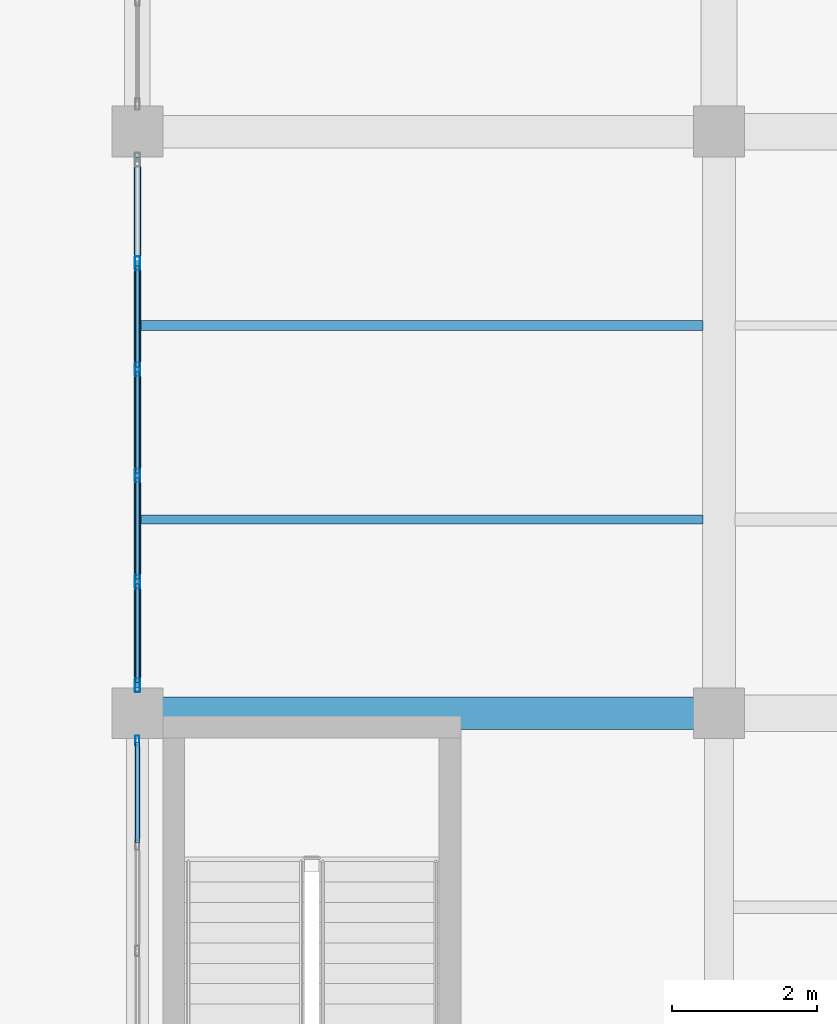
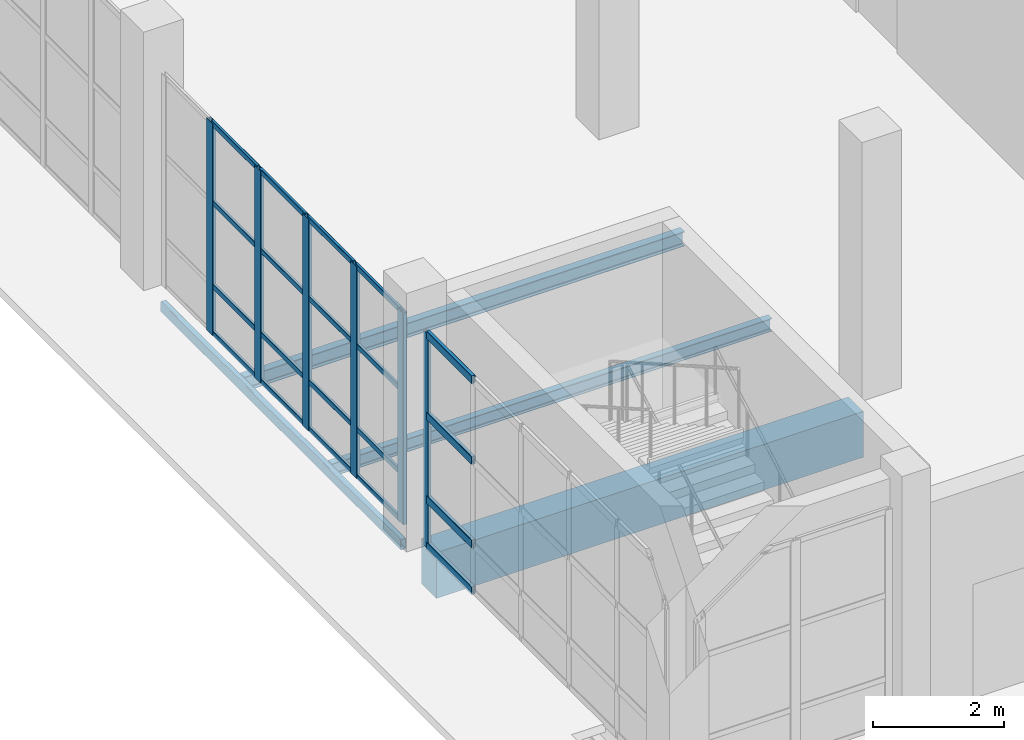
# One storey, part 5 of 156: 26 members, 4 beams, 2 elements without a shape of their own.
"""IFC4 building model written with IfcOpenShell, lengths in metres."""

from ifc_helpers import new_model, si_unit, direction, frame, origin, origin_2d, place, context, subcontext, project, spatial, rectangle, hollow_rectangle, i_section, extrude, material, material_profile, profile_set, type_object, element, aggregate, save


model = new_model("IFC4")

# Units and contexts
model_context = context("Model", 3, precision=1e-05, world=origin(), true_north=direction((0.0, 1.0)))
body_context = subcontext(model_context, "Body", "Model", "MODEL_VIEW")
ifc_project = project(units=[si_unit("LENGTHUNIT", "METRE"), si_unit("AREAUNIT", "SQUARE_METRE"), si_unit("VOLUMEUNIT", "CUBIC_METRE"), si_unit("PLANEANGLEUNIT", "RADIAN"), si_unit("MASSUNIT", "GRAM", prefix="KILO")], contexts=[model_context])

# Site, building, storey
site_placement = place(None, origin())
site = spatial("IfcSite", under=ifc_project, at=site_placement, CompositionType="ELEMENT")
building_placement = place(site_placement, origin())
building = spatial("IfcBuilding", under=site, at=building_placement, Name="Luwemba Playhouse", CompositionType="ELEMENT")
storey_placement = place(building_placement, origin())
storey = spatial("IfcBuildingStorey", under=building, at=storey_placement, Name="L00", CompositionType="ELEMENT", Elevation=0.0)

# Beams
ifc_material_1 = material(Name="Concrete C40/50", Category="concrete")
ifc_material_profile_1 = material_profile(ifc_material_1, rectangle(XDim=0.449951171875, YDim=0.85009765625, at=origin_2d()))
ifc_profile_set_1 = profile_set([ifc_material_profile_1], Name="Concrete C40/50")
beam_type_1 = type_object("IfcBeamType", Name="BM-RB05", PredefinedType="BEAM", material=ifc_profile_set_1)
beam_1_placement = place(storey_placement, frame((4.25, 11.0, -0.72509765625), z_axis=(1.0, 0.0, 0.0), x_axis=(0.0, 1.0, 0.0)))
element("IfcBeam", 1, at=beam_1_placement, inside=storey, type_object=beam_type_1, Name="L00 grid girder 0157", PredefinedType="BEAM", context=body_context, shape_type="SweptSolid", body=[
    extrude(rectangle(XDim=0.449951171875, YDim=0.85009765625, at=origin_2d()), origin(), (0.0, 0.0, 1.0), 7.5),
])
ifc_material_2 = material(Name="Steel S355", Category="steel")
ifc_material_profile_2 = material_profile(ifc_material_2, i_section(OverallWidth=0.1201171875, OverallDepth=0.239990234375, WebThickness=0.006103515625, FlangeThickness=0.009765625, FilletRadius=0.014892578125, at=origin_2d()))
ifc_profile_set_2 = profile_set([ifc_material_profile_2], Name="Steel S355")
beam_type_2 = type_object("IfcBeamType", Name="BM-SJ03", PredefinedType="JOIST", material=ifc_profile_set_2)
beam_2_placement = place(storey_placement, frame((4.0458984375, 13.666748046875, -0.419921875), z_axis=(1.0, 0.0, 0.0), x_axis=(0.0, 1.0, 0.0)))
element("IfcBeam", 2, at=beam_2_placement, inside=storey, type_object=beam_type_2, Name="L00 composite floor joist 0119", PredefinedType="JOIST", context=body_context, shape_type="SweptSolid", body=[
    extrude(i_section(OverallWidth=0.1201171875, OverallDepth=0.239990234375, WebThickness=0.006103515625, FlangeThickness=0.009765625, FilletRadius=0.014892578125, at=origin_2d()), origin(), (0.0, 0.0, 1.0), 7.733154296875),
])
ifc_material_profile_3 = material_profile(ifc_material_2, i_section(OverallWidth=0.135009765625, OverallDepth=0.27001953125, WebThickness=0.006591796875, FlangeThickness=0.01025390625, FilletRadius=0.014892578125, at=origin_2d()))
ifc_profile_set_3 = profile_set([ifc_material_profile_3], Name="Steel S355")
beam_type_3 = type_object("IfcBeamType", Name="BM-SJ04", PredefinedType="JOIST", material=ifc_profile_set_3)
beam_3_placement = place(storey_placement, frame((4.0458984375, 16.333251953125, -0.43505859375), z_axis=(1.0, 0.0, 0.0), x_axis=(0.0, 1.0, 0.0)))
element("IfcBeam", 3, at=beam_3_placement, inside=storey, type_object=beam_type_3, Name="L00 composite floor joist 0120", PredefinedType="JOIST", context=body_context, shape_type="SweptSolid", body=[
    extrude(i_section(OverallWidth=0.135009765625, OverallDepth=0.27001953125, WebThickness=0.006591796875, FlangeThickness=0.01025390625, FilletRadius=0.014892578125, at=origin_2d()), origin(), (0.0, 0.0, 1.0), 7.733154296875),
])
ifc_material_profile_4 = material_profile(ifc_material_2, hollow_rectangle(XDim=0.10009765625, YDim=0.199951171875, WallThickness=0.008056640625, InnerFilletRadius=0.011962890625, OuterFilletRadius=0.02001953125, at=origin_2d()))
ifc_profile_set_4 = profile_set([ifc_material_profile_4], Name="Steel S355")
beam_type_4 = type_object("IfcBeamType", Name="BM-SSP2", PredefinedType="SPANDREL", material=ifc_profile_set_4)
beam_4_placement = place(storey_placement, frame((4.0, 11.35009765625, -0.39990234375), z_axis=(0.0, 1.0, 0.0), x_axis=(-1.0, 0.0, 0.0)))
element("IfcBeam", 4, at=beam_4_placement, inside=storey, type_object=beam_type_4, Name="L00 transverse girder 0179", PredefinedType="SPANDREL", context=body_context, shape_type="SweptSolid", body=[
    extrude(hollow_rectangle(XDim=0.10009765625, YDim=0.199951171875, WallThickness=0.008056640625, InnerFilletRadius=0.011962890625, OuterFilletRadius=0.02001953125, at=origin_2d()), origin(), (0.0, 0.0, 1.0), 7.2998046875),
])

# Curtain wall, member
ifc_material_3 = material(Name="Solar-control double glazing", Category="glass")
curtain_wall_type_1 = type_object("IfcCurtainWallType", Name="CW-CW23", PredefinedType="USERDEFINED", material=ifc_material_3)
curtain_wall_1_placement = place(storey_placement, origin())
curtain_wall_1 = element("IfcCurtainWall", 5, at=curtain_wall_1_placement, inside=storey, type_object=curtain_wall_type_1, Name="L00 V5W unitised curtain wall 025", ObjectType="UNITISED GLAZING", PredefinedType="USERDEFINED")
ifc_material_4 = material(Name="Aluminium 6063-T6", Category="aluminium")
ifc_material_profile_5 = material_profile(ifc_material_4, hollow_rectangle(XDim=0.054931640625, YDim=0.139892578125, WallThickness=0.00390625, InnerFilletRadius=0.006103515625, OuterFilletRadius=0.010009765625, at=origin_2d()))
ifc_profile_set_5 = profile_set([ifc_material_profile_5], Name="Aluminium 6063-T6")
member_type_1 = type_object("IfcMemberType", Name="CWM-M3", PredefinedType="MULLION", material=ifc_profile_set_5)
member_1_placement = place(storey_placement, frame((4.0, 10.62255859375, 0.0), z_axis=(0.0, 0.0, 1.0), x_axis=(-1.0, 0.0, 0.0)))
member_1 = element("IfcMember", 6, at=member_1_placement, type_object=member_type_1, Name="CW23 mullion 6", PredefinedType="MULLION", context=body_context, shape_type="SweptSolid", body=[
    extrude(hollow_rectangle(XDim=0.054931640625, YDim=0.139892578125, WallThickness=0.00390625, InnerFilletRadius=0.006103515625, OuterFilletRadius=0.010009765625, at=origin_2d()), origin(), (0.0, 0.0, 1.0), 3.985107421875),
])

# Curtain wall, members
curtain_wall_type_2 = type_object("IfcCurtainWallType", Name="CW-CW24", PredefinedType="USERDEFINED", material=ifc_material_3)
curtain_wall_2_placement = place(storey_placement, origin())
curtain_wall_2 = element("IfcCurtainWall", 7, at=curtain_wall_2_placement, inside=storey, type_object=curtain_wall_type_2, Name="L00 V5W unitised curtain wall 026", ObjectType="UNITISED GLAZING", PredefinedType="USERDEFINED")
ifc_material_profile_6 = material_profile(ifc_material_4, hollow_rectangle(XDim=0.070068359375, YDim=0.18994140625, WallThickness=0.0048828125, InnerFilletRadius=0.007568359375, OuterFilletRadius=0.012451171875, at=origin_2d()))
ifc_profile_set_6 = profile_set([ifc_material_profile_6], Name="Aluminium 6063-T6")
member_type_2 = type_object("IfcMemberType", Name="CWM-M4", PredefinedType="MULLION", material=ifc_profile_set_6)
member_2_placement = place(storey_placement, frame((4.0, 11.385009765625, 0.0), z_axis=(0.0, 0.0, 1.0), x_axis=(-1.0, 0.0, 0.0)))
member_2 = element("IfcMember", 8, at=member_2_placement, type_object=member_type_2, Name="CW24 mullion 1", PredefinedType="MULLION", context=body_context, shape_type="SweptSolid", body=[
    extrude(hollow_rectangle(XDim=0.070068359375, YDim=0.18994140625, WallThickness=0.0048828125, InnerFilletRadius=0.007568359375, OuterFilletRadius=0.012451171875, at=origin_2d()), origin(), (0.0, 0.0, 1.0), 3.93505859375),
])
member_3_placement = place(storey_placement, frame((4.0, 12.81005859375, 0.0), z_axis=(0.0, 0.0, 1.0), x_axis=(-1.0, 0.0, 0.0)))
member_3 = element("IfcMember", 9, at=member_3_placement, type_object=member_type_2, Name="CW24 mullion 2", PredefinedType="MULLION", context=body_context, shape_type="SweptSolid", body=[
    extrude(hollow_rectangle(XDim=0.070068359375, YDim=0.18994140625, WallThickness=0.0048828125, InnerFilletRadius=0.007568359375, OuterFilletRadius=0.012451171875, at=origin_2d()), origin(), (0.0, 0.0, 1.0), 3.93505859375),
])
member_4_placement = place(storey_placement, frame((4.0, 14.27001953125, 0.0), z_axis=(0.0, 0.0, 1.0), x_axis=(-1.0, 0.0, 0.0)))
member_4 = element("IfcMember", 10, at=member_4_placement, type_object=member_type_2, Name="CW24 mullion 3", PredefinedType="MULLION", context=body_context, shape_type="SweptSolid", body=[
    extrude(hollow_rectangle(XDim=0.070068359375, YDim=0.18994140625, WallThickness=0.0048828125, InnerFilletRadius=0.007568359375, OuterFilletRadius=0.012451171875, at=origin_2d()), origin(), (0.0, 0.0, 1.0), 3.93505859375),
])
member_5_placement = place(storey_placement, frame((4.0, 15.72998046875, 0.0), z_axis=(0.0, 0.0, 1.0), x_axis=(-1.0, 0.0, 0.0)))
member_5 = element("IfcMember", 11, at=member_5_placement, type_object=member_type_2, Name="CW24 mullion 4", PredefinedType="MULLION", context=body_context, shape_type="SweptSolid", body=[
    extrude(hollow_rectangle(XDim=0.070068359375, YDim=0.18994140625, WallThickness=0.0048828125, InnerFilletRadius=0.007568359375, OuterFilletRadius=0.012451171875, at=origin_2d()), origin(), (0.0, 0.0, 1.0), 3.93505859375),
])
member_6_placement = place(storey_placement, frame((4.0, 17.18994140625, 0.0), z_axis=(0.0, 0.0, 1.0), x_axis=(-1.0, 0.0, 0.0)))
member_6 = element("IfcMember", 12, at=member_6_placement, type_object=member_type_2, Name="CW24 mullion 5", PredefinedType="MULLION", context=body_context, shape_type="SweptSolid", body=[
    extrude(hollow_rectangle(XDim=0.070068359375, YDim=0.18994140625, WallThickness=0.0048828125, InnerFilletRadius=0.007568359375, OuterFilletRadius=0.012451171875, at=origin_2d()), origin(), (0.0, 0.0, 1.0), 3.93505859375),
])

# Member
ifc_material_profile_7 = material_profile(ifc_material_4, hollow_rectangle(XDim=0.06494140625, YDim=0.14990234375, WallThickness=0.00390625, InnerFilletRadius=0.006103515625, OuterFilletRadius=0.010009765625, at=origin_2d()))
ifc_profile_set_7 = profile_set([ifc_material_profile_7], Name="Aluminium 6063-T6")
member_type_3 = type_object("IfcMemberType", Name="CWT-T3", PredefinedType="USERDEFINED", material=ifc_profile_set_7)
member_7_placement = place(storey_placement, frame((4.0, 9.217529296875, 0.032470703125), z_axis=(0.0, 1.0, 0.0), x_axis=(-1.0, 0.0, 0.0)))
member_7 = element("IfcMember", 13, at=member_7_placement, type_object=member_type_3, Name="CW23 transom 5.1", ObjectType="TRANSOM", PredefinedType="USERDEFINED", context=body_context, shape_type="SweptSolid", body=[
    extrude(hollow_rectangle(XDim=0.06494140625, YDim=0.14990234375, WallThickness=0.00390625, InnerFilletRadius=0.006103515625, OuterFilletRadius=0.010009765625, at=origin_2d()), origin(), (0.0, 0.0, 1.0), 1.37744140625),
])

member_8_placement = place(storey_placement, frame((4.0, 9.217529296875, 0.89990234375), z_axis=(0.0, 1.0, 0.0), x_axis=(-1.0, 0.0, 0.0)))
member_8 = element("IfcMember", 14, at=member_8_placement, type_object=member_type_3, Name="CW23 transom 5.2", ObjectType="TRANSOM", PredefinedType="USERDEFINED", context=body_context, shape_type="SweptSolid", body=[
    extrude(hollow_rectangle(XDim=0.06494140625, YDim=0.14990234375, WallThickness=0.00390625, InnerFilletRadius=0.006103515625, OuterFilletRadius=0.010009765625, at=origin_2d()), origin(), (0.0, 0.0, 1.0), 1.37744140625),
])

member_9_placement = place(storey_placement, frame((4.0, 9.217529296875, 2.449951171875), z_axis=(0.0, 1.0, 0.0), x_axis=(-1.0, 0.0, 0.0)))
member_9 = element("IfcMember", 15, at=member_9_placement, type_object=member_type_3, Name="CW23 transom 5.3", ObjectType="TRANSOM", PredefinedType="USERDEFINED", context=body_context, shape_type="SweptSolid", body=[
    extrude(hollow_rectangle(XDim=0.06494140625, YDim=0.14990234375, WallThickness=0.00390625, InnerFilletRadius=0.006103515625, OuterFilletRadius=0.010009765625, at=origin_2d()), origin(), (0.0, 0.0, 1.0), 1.37744140625),
])

member_10_placement = place(storey_placement, frame((4.0, 9.217529296875, 3.952392578125), z_axis=(0.0, 1.0, 0.0), x_axis=(-1.0, 0.0, 0.0)))
member_10 = element("IfcMember", 16, at=member_10_placement, type_object=member_type_3, Name="CW23 transom 5.4", ObjectType="TRANSOM", PredefinedType="USERDEFINED", context=body_context, shape_type="SweptSolid", body=[
    extrude(hollow_rectangle(XDim=0.06494140625, YDim=0.14990234375, WallThickness=0.00390625, InnerFilletRadius=0.006103515625, OuterFilletRadius=0.010009765625, at=origin_2d()), origin(), (0.0, 0.0, 1.0), 1.37744140625),
])

aggregate(curtain_wall_1, [member_1, member_7, member_8, member_9, member_10])

ifc_material_profile_8 = material_profile(ifc_material_4, hollow_rectangle(XDim=0.050048828125, YDim=0.10009765625, WallThickness=0.00341796875, InnerFilletRadius=0.00537109375, OuterFilletRadius=0.0087890625, at=origin_2d()))
ifc_profile_set_8 = profile_set([ifc_material_profile_8], Name="Aluminium 6063-T6")
member_type_4 = type_object("IfcMemberType", Name="CWT-T4", PredefinedType="USERDEFINED", material=ifc_profile_set_8)
member_11_placement = place(storey_placement, frame((4.0, 11.419921875, 0.02490234375), z_axis=(0.0, 1.0, 0.0), x_axis=(-1.0, 0.0, 0.0)))
member_11 = element("IfcMember", 17, at=member_11_placement, type_object=member_type_4, Name="CW24 transom 1.1", ObjectType="TRANSOM", PredefinedType="USERDEFINED", context=body_context, shape_type="SweptSolid", body=[
    extrude(hollow_rectangle(XDim=0.050048828125, YDim=0.10009765625, WallThickness=0.00341796875, InnerFilletRadius=0.00537109375, OuterFilletRadius=0.0087890625, at=origin_2d()), origin(), (0.0, 0.0, 1.0), 1.35498046875),
])

member_12_placement = place(storey_placement, frame((4.0, 11.419921875, 0.89990234375), z_axis=(0.0, 1.0, 0.0), x_axis=(-1.0, 0.0, 0.0)))
member_12 = element("IfcMember", 18, at=member_12_placement, type_object=member_type_4, Name="CW24 transom 1.2", ObjectType="TRANSOM", PredefinedType="USERDEFINED", context=body_context, shape_type="SweptSolid", body=[
    extrude(hollow_rectangle(XDim=0.050048828125, YDim=0.10009765625, WallThickness=0.00341796875, InnerFilletRadius=0.00537109375, OuterFilletRadius=0.0087890625, at=origin_2d()), origin(), (0.0, 0.0, 1.0), 1.35498046875),
])

member_13_placement = place(storey_placement, frame((4.0, 11.419921875, 2.449951171875), z_axis=(0.0, 1.0, 0.0), x_axis=(-1.0, 0.0, 0.0)))
member_13 = element("IfcMember", 19, at=member_13_placement, type_object=member_type_4, Name="CW24 transom 1.3", ObjectType="TRANSOM", PredefinedType="USERDEFINED", context=body_context, shape_type="SweptSolid", body=[
    extrude(hollow_rectangle(XDim=0.050048828125, YDim=0.10009765625, WallThickness=0.00341796875, InnerFilletRadius=0.00537109375, OuterFilletRadius=0.0087890625, at=origin_2d()), origin(), (0.0, 0.0, 1.0), 1.35498046875),
])

member_14_placement = place(storey_placement, frame((4.0, 11.419921875, 3.909912109375), z_axis=(0.0, 1.0, 0.0), x_axis=(-1.0, 0.0, 0.0)))
member_14 = element("IfcMember", 20, at=member_14_placement, type_object=member_type_4, Name="CW24 transom 1.4", ObjectType="TRANSOM", PredefinedType="USERDEFINED", context=body_context, shape_type="SweptSolid", body=[
    extrude(hollow_rectangle(XDim=0.050048828125, YDim=0.10009765625, WallThickness=0.00341796875, InnerFilletRadius=0.00537109375, OuterFilletRadius=0.0087890625, at=origin_2d()), origin(), (0.0, 0.0, 1.0), 1.35498046875),
])

member_15_placement = place(storey_placement, frame((4.0, 12.844970703125, 0.02490234375), z_axis=(0.0, 1.0, 0.0), x_axis=(-1.0, 0.0, 0.0)))
member_15 = element("IfcMember", 21, at=member_15_placement, type_object=member_type_4, Name="CW24 transom 2.1", ObjectType="TRANSOM", PredefinedType="USERDEFINED", context=body_context, shape_type="SweptSolid", body=[
    extrude(hollow_rectangle(XDim=0.050048828125, YDim=0.10009765625, WallThickness=0.00341796875, InnerFilletRadius=0.00537109375, OuterFilletRadius=0.0087890625, at=origin_2d()), origin(), (0.0, 0.0, 1.0), 1.39013671875),
])

member_16_placement = place(storey_placement, frame((4.0, 12.844970703125, 0.89990234375), z_axis=(0.0, 1.0, 0.0), x_axis=(-1.0, 0.0, 0.0)))
member_16 = element("IfcMember", 22, at=member_16_placement, type_object=member_type_4, Name="CW24 transom 2.2", ObjectType="TRANSOM", PredefinedType="USERDEFINED", context=body_context, shape_type="SweptSolid", body=[
    extrude(hollow_rectangle(XDim=0.050048828125, YDim=0.10009765625, WallThickness=0.00341796875, InnerFilletRadius=0.00537109375, OuterFilletRadius=0.0087890625, at=origin_2d()), origin(), (0.0, 0.0, 1.0), 1.39013671875),
])

member_17_placement = place(storey_placement, frame((4.0, 12.844970703125, 2.449951171875), z_axis=(0.0, 1.0, 0.0), x_axis=(-1.0, 0.0, 0.0)))
member_17 = element("IfcMember", 23, at=member_17_placement, type_object=member_type_4, Name="CW24 transom 2.3", ObjectType="TRANSOM", PredefinedType="USERDEFINED", context=body_context, shape_type="SweptSolid", body=[
    extrude(hollow_rectangle(XDim=0.050048828125, YDim=0.10009765625, WallThickness=0.00341796875, InnerFilletRadius=0.00537109375, OuterFilletRadius=0.0087890625, at=origin_2d()), origin(), (0.0, 0.0, 1.0), 1.39013671875),
])

member_18_placement = place(storey_placement, frame((4.0, 12.844970703125, 3.909912109375), z_axis=(0.0, 1.0, 0.0), x_axis=(-1.0, 0.0, 0.0)))
member_18 = element("IfcMember", 24, at=member_18_placement, type_object=member_type_4, Name="CW24 transom 2.4", ObjectType="TRANSOM", PredefinedType="USERDEFINED", context=body_context, shape_type="SweptSolid", body=[
    extrude(hollow_rectangle(XDim=0.050048828125, YDim=0.10009765625, WallThickness=0.00341796875, InnerFilletRadius=0.00537109375, OuterFilletRadius=0.0087890625, at=origin_2d()), origin(), (0.0, 0.0, 1.0), 1.39013671875),
])

member_19_placement = place(storey_placement, frame((4.0, 14.304931640625, 0.02490234375), z_axis=(0.0, 1.0, 0.0), x_axis=(-1.0, 0.0, 0.0)))
member_19 = element("IfcMember", 25, at=member_19_placement, type_object=member_type_4, Name="CW24 transom 3.1", ObjectType="TRANSOM", PredefinedType="USERDEFINED", context=body_context, shape_type="SweptSolid", body=[
    extrude(hollow_rectangle(XDim=0.050048828125, YDim=0.10009765625, WallThickness=0.00341796875, InnerFilletRadius=0.00537109375, OuterFilletRadius=0.0087890625, at=origin_2d()), origin(), (0.0, 0.0, 1.0), 1.39013671875),
])

member_20_placement = place(storey_placement, frame((4.0, 14.304931640625, 0.89990234375), z_axis=(0.0, 1.0, 0.0), x_axis=(-1.0, 0.0, 0.0)))
member_20 = element("IfcMember", 26, at=member_20_placement, type_object=member_type_4, Name="CW24 transom 3.2", ObjectType="TRANSOM", PredefinedType="USERDEFINED", context=body_context, shape_type="SweptSolid", body=[
    extrude(hollow_rectangle(XDim=0.050048828125, YDim=0.10009765625, WallThickness=0.00341796875, InnerFilletRadius=0.00537109375, OuterFilletRadius=0.0087890625, at=origin_2d()), origin(), (0.0, 0.0, 1.0), 1.39013671875),
])

member_21_placement = place(storey_placement, frame((4.0, 14.304931640625, 2.449951171875), z_axis=(0.0, 1.0, 0.0), x_axis=(-1.0, 0.0, 0.0)))
member_21 = element("IfcMember", 27, at=member_21_placement, type_object=member_type_4, Name="CW24 transom 3.3", ObjectType="TRANSOM", PredefinedType="USERDEFINED", context=body_context, shape_type="SweptSolid", body=[
    extrude(hollow_rectangle(XDim=0.050048828125, YDim=0.10009765625, WallThickness=0.00341796875, InnerFilletRadius=0.00537109375, OuterFilletRadius=0.0087890625, at=origin_2d()), origin(), (0.0, 0.0, 1.0), 1.39013671875),
])

member_22_placement = place(storey_placement, frame((4.0, 14.304931640625, 3.909912109375), z_axis=(0.0, 1.0, 0.0), x_axis=(-1.0, 0.0, 0.0)))
member_22 = element("IfcMember", 28, at=member_22_placement, type_object=member_type_4, Name="CW24 transom 3.4", ObjectType="TRANSOM", PredefinedType="USERDEFINED", context=body_context, shape_type="SweptSolid", body=[
    extrude(hollow_rectangle(XDim=0.050048828125, YDim=0.10009765625, WallThickness=0.00341796875, InnerFilletRadius=0.00537109375, OuterFilletRadius=0.0087890625, at=origin_2d()), origin(), (0.0, 0.0, 1.0), 1.39013671875),
])

member_23_placement = place(storey_placement, frame((4.0, 15.764892578125, 0.02490234375), z_axis=(0.0, 1.0, 0.0), x_axis=(-1.0, 0.0, 0.0)))
member_23 = element("IfcMember", 29, at=member_23_placement, type_object=member_type_4, Name="CW24 transom 4.1", ObjectType="TRANSOM", PredefinedType="USERDEFINED", context=body_context, shape_type="SweptSolid", body=[
    extrude(hollow_rectangle(XDim=0.050048828125, YDim=0.10009765625, WallThickness=0.00341796875, InnerFilletRadius=0.00537109375, OuterFilletRadius=0.0087890625, at=origin_2d()), origin(), (0.0, 0.0, 1.0), 1.39013671875),
])

member_24_placement = place(storey_placement, frame((4.0, 15.764892578125, 0.89990234375), z_axis=(0.0, 1.0, 0.0), x_axis=(-1.0, 0.0, 0.0)))
member_24 = element("IfcMember", 30, at=member_24_placement, type_object=member_type_4, Name="CW24 transom 4.2", ObjectType="TRANSOM", PredefinedType="USERDEFINED", context=body_context, shape_type="SweptSolid", body=[
    extrude(hollow_rectangle(XDim=0.050048828125, YDim=0.10009765625, WallThickness=0.00341796875, InnerFilletRadius=0.00537109375, OuterFilletRadius=0.0087890625, at=origin_2d()), origin(), (0.0, 0.0, 1.0), 1.39013671875),
])

member_25_placement = place(storey_placement, frame((4.0, 15.764892578125, 2.449951171875), z_axis=(0.0, 1.0, 0.0), x_axis=(-1.0, 0.0, 0.0)))
member_25 = element("IfcMember", 31, at=member_25_placement, type_object=member_type_4, Name="CW24 transom 4.3", ObjectType="TRANSOM", PredefinedType="USERDEFINED", context=body_context, shape_type="SweptSolid", body=[
    extrude(hollow_rectangle(XDim=0.050048828125, YDim=0.10009765625, WallThickness=0.00341796875, InnerFilletRadius=0.00537109375, OuterFilletRadius=0.0087890625, at=origin_2d()), origin(), (0.0, 0.0, 1.0), 1.39013671875),
])

member_26_placement = place(storey_placement, frame((4.0, 15.764892578125, 3.909912109375), z_axis=(0.0, 1.0, 0.0), x_axis=(-1.0, 0.0, 0.0)))
member_26 = element("IfcMember", 32, at=member_26_placement, type_object=member_type_4, Name="CW24 transom 4.4", ObjectType="TRANSOM", PredefinedType="USERDEFINED", context=body_context, shape_type="SweptSolid", body=[
    extrude(hollow_rectangle(XDim=0.050048828125, YDim=0.10009765625, WallThickness=0.00341796875, InnerFilletRadius=0.00537109375, OuterFilletRadius=0.0087890625, at=origin_2d()), origin(), (0.0, 0.0, 1.0), 1.39013671875),
])

aggregate(curtain_wall_2, [member_2, member_3, member_4, member_5, member_6, member_11, member_12, member_13, member_14, member_15, member_16, member_17, member_18, member_19, member_20, member_21, member_22, member_23, member_24, member_25, member_26])

save(model, "model.ifc")
